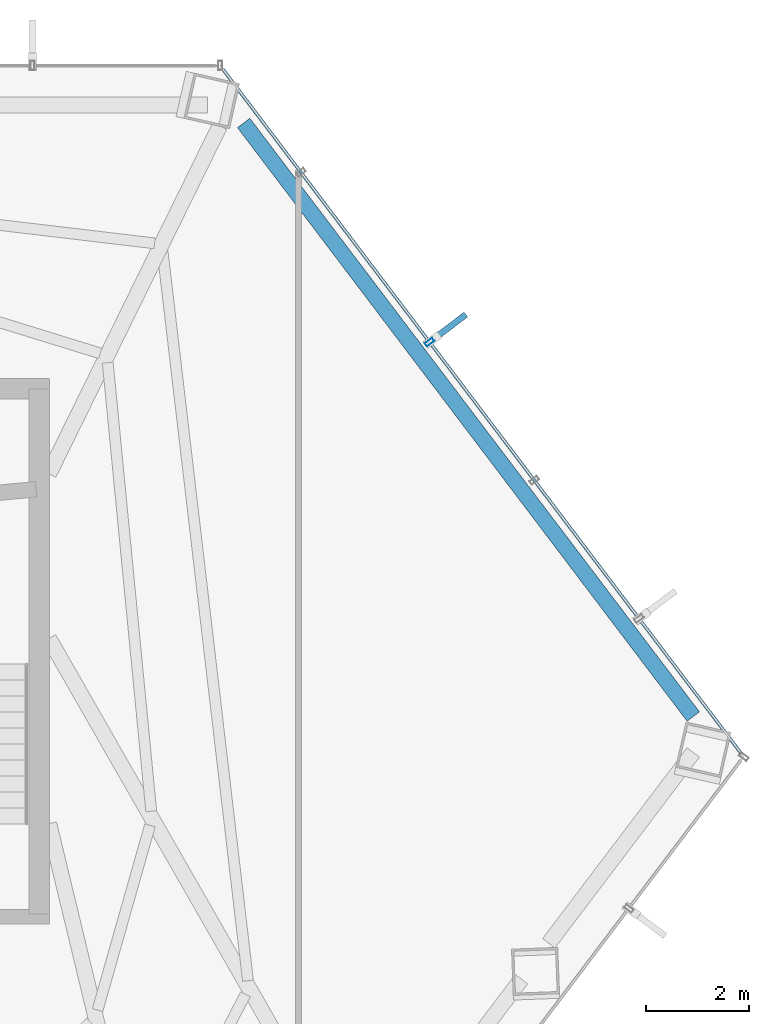
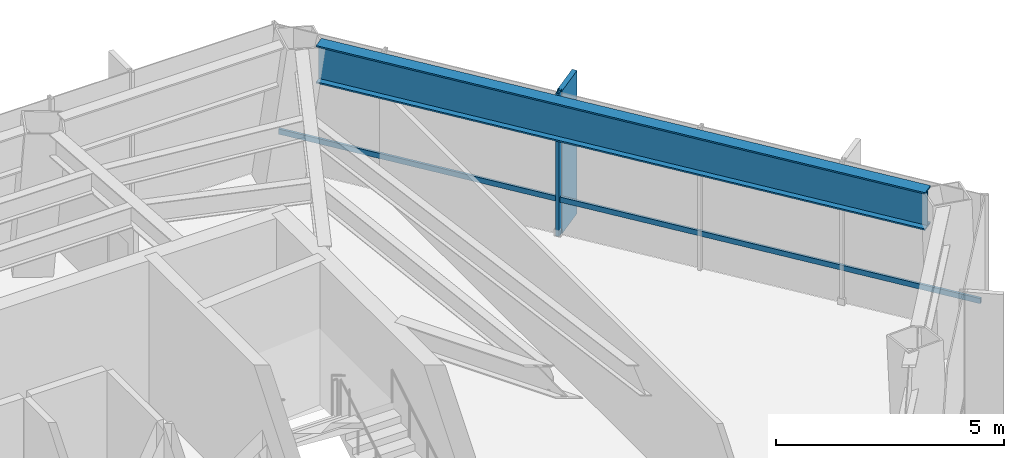
# One storey, part 22 of 27: 3 members, 1 beam, 1 element without a shape of its own.
"""IFC4 building model written with IfcOpenShell, lengths in metres."""

from ifc_helpers import new_model, si_unit, direction, frame, origin, origin_2d, place, context, subcontext, project, spatial, rectangle, hollow_rectangle, i_section, extrude, material, layer, layer_set, material_profile, profile_set, type_object, element, aggregate, save


model = new_model("IFC4")

# Units and contexts
model_context = context("Model", 3, precision=1e-05, world=origin(), true_north=direction((0.0, 1.0)))
body_context = subcontext(model_context, "Body", "Model", "MODEL_VIEW")
ifc_project = project(units=[si_unit("LENGTHUNIT", "METRE"), si_unit("AREAUNIT", "SQUARE_METRE"), si_unit("VOLUMEUNIT", "CUBIC_METRE"), si_unit("PLANEANGLEUNIT", "RADIAN"), si_unit("MASSUNIT", "GRAM", prefix="KILO")], contexts=[model_context])

# Site, building, storey
site_placement = place(None, origin())
site = spatial("IfcSite", under=ifc_project, at=site_placement, CompositionType="ELEMENT")
building_placement = place(site_placement, origin())
building = spatial("IfcBuilding", under=site, at=building_placement, Name="Zarrinselat Tower", CompositionType="ELEMENT")
storey_placement = place(building_placement, frame((0.0, 0.0, 80.580078125)))
storey = spatial("IfcBuildingStorey", under=building, at=storey_placement, Name="L19", CompositionType="ELEMENT", Elevation=80.580078125)

# Beam
ifc_material_1 = material(Name="Steel S460M", Category="steel")
ifc_material_profile_1 = material_profile(ifc_material_1, i_section(OverallWidth=0.302001953125, OverallDepth=1.008056640625, WebThickness=0.02099609375, FlangeThickness=0.0400390625, at=origin_2d()), Name="HEM 1000")
ifc_profile_set_1 = profile_set([ifc_material_profile_1], Name="Steel S460M")
beam_type = type_object("IfcBeamType", Name="BM-HEM1000", PredefinedType="BEAM", material=ifc_profile_set_1)
beam_placement = place(storey_placement, frame((52.23291015625, 48.61767578125, 3.31591796875), z_axis=(0.603850865927, -0.797097316342, 0.0), x_axis=(0.797097316342, 0.603850865927, 0.0)))
element("IfcBeam", 1, at=beam_placement, inside=storey, type_object=beam_type, Name="L19 Perimeter Spandrel Girder SP15", PredefinedType="BEAM", context=body_context, shape_type="SweptSolid", body=[
    extrude(i_section(OverallWidth=0.302001953125, OverallDepth=1.008056640625, WebThickness=0.02099609375, FlangeThickness=0.0400390625, at=origin_2d()), origin(), (0.0, 0.0, 1.0), 14.46923828125),
])

# Curtain wall, members
ifc_material_2 = material(Name="Extruded Aluminium Alloy EN AW-6063 T6", Category="aluminium")
ifc_layer = layer(ifc_material_2, 0.18505859375)
ifc_layer_set = layer_set([ifc_layer], Name="Extruded Aluminium Alloy EN AW-6063 T6")
curtain_wall_type = type_object("IfcCurtainWallType", Name="CWS-OFF", PredefinedType="NOTDEFINED", material=ifc_layer_set)
curtain_wall_placement = place(storey_placement, origin())
curtain_wall = element("IfcCurtainWall", 2, at=curtain_wall_placement, inside=storey, type_object=curtain_wall_type, Name="L19 Unitised Curtain Wall CW-L19-E06", PredefinedType="NOTDEFINED")
ifc_material_3 = material(Name="Extruded Aluminium Alloy EN AW-6063 T6", Category="aluminium")
ifc_material_profile_2 = material_profile(ifc_material_3, hollow_rectangle(XDim=0.080078125, YDim=0.179931640625, WallThickness=0.0048828125, at=origin_2d()), Name="RHS 180x80x5")
ifc_profile_set_2 = profile_set([ifc_material_profile_2], Name="Extruded Aluminium Alloy EN AW-6063 T6")
member_type_1 = type_object("IfcMemberType", Name="MEM-CW-MUL", PredefinedType="MULLION", material=ifc_profile_set_2)
member_1_placement = place(storey_placement, frame((55.846435546875, 44.360595703125, 0.0), z_axis=(0.0, 0.0, 1.0), x_axis=(-0.603856545426, 0.797093013736, 0.0)))
member_1 = element("IfcMember", 3, at=member_1_placement, type_object=member_type_1, Name="CW-L19-E06 Mullion 3", PredefinedType="MULLION", context=body_context, shape_type="SweptSolid", body=[
    extrude(hollow_rectangle(XDim=0.080078125, YDim=0.179931640625, WallThickness=0.0048828125, at=origin_2d()), origin(), (0.0, 0.0, 1.0), 3.81982421875),
])
ifc_material_4 = material(Name="Extruded Aluminium Alloy EN AW-6063 T6", Category="aluminium")
ifc_material_profile_3 = material_profile(ifc_material_4, hollow_rectangle(XDim=0.06005859375, YDim=0.139892578125, WallThickness=0.00390625, at=origin_2d()), Name="RHS 140x60x4")
ifc_profile_set_3 = profile_set([ifc_material_profile_3], Name="Extruded Aluminium Alloy EN AW-6063 T6")
member_type_2 = type_object("IfcMemberType", Name="MEM-CW-TRN", PredefinedType="USERDEFINED", material=ifc_profile_set_3)
member_2_placement = place(storey_placement, frame((61.8974609375, 36.373291015625, 0.949951171875), z_axis=(-0.603856842127, 0.797092788963, 0.0), x_axis=(-0.797092788963, -0.603856842127, 0.0)))
member_2 = element("IfcMember", 4, at=member_2_placement, type_object=member_type_2, Name="CW-L19-E06 Transom 1", ObjectType="TRANSOM", PredefinedType="USERDEFINED", context=body_context, shape_type="SweptSolid", body=[
    extrude(hollow_rectangle(XDim=0.06005859375, YDim=0.139892578125, WallThickness=0.00390625, at=origin_2d()), origin(), (0.0, 0.0, 1.0), 16.6708984375),
])
ifc_material_5 = material(Name="Honed Cream Travertine Stone", Category="masonry")
ifc_material_profile_4 = material_profile(ifc_material_5, rectangle(XDim=0.1201171875, YDim=0.85009765625, at=origin_2d()), Name="FIN 850x120")
ifc_profile_set_4 = profile_set([ifc_material_profile_4], Name="Honed Cream Travertine Stone")
member_type_3 = type_object("IfcMemberType", Name="MEM-STONE-FIN", PredefinedType="USERDEFINED", material=ifc_profile_set_4)
member_3_placement = place(storey_placement, frame((56.213134765625, 44.638427734375, 0.0), z_axis=(0.0, 0.0, 1.0), x_axis=(0.603856545426, -0.797093013736, 0.0)))
member_3 = element("IfcMember", 5, at=member_3_placement, type_object=member_type_3, Name="L19 Stone Shading Fin CW-L19-E06-03", ObjectType="FIN", PredefinedType="USERDEFINED", context=body_context, shape_type="SweptSolid", body=[
    extrude(rectangle(XDim=0.1201171875, YDim=0.85009765625, at=origin_2d()), origin(), (0.0, 0.0, 1.0), 3.81982421875),
])
aggregate(curtain_wall, [member_1, member_3, member_2])

save(model, "model.ifc")
